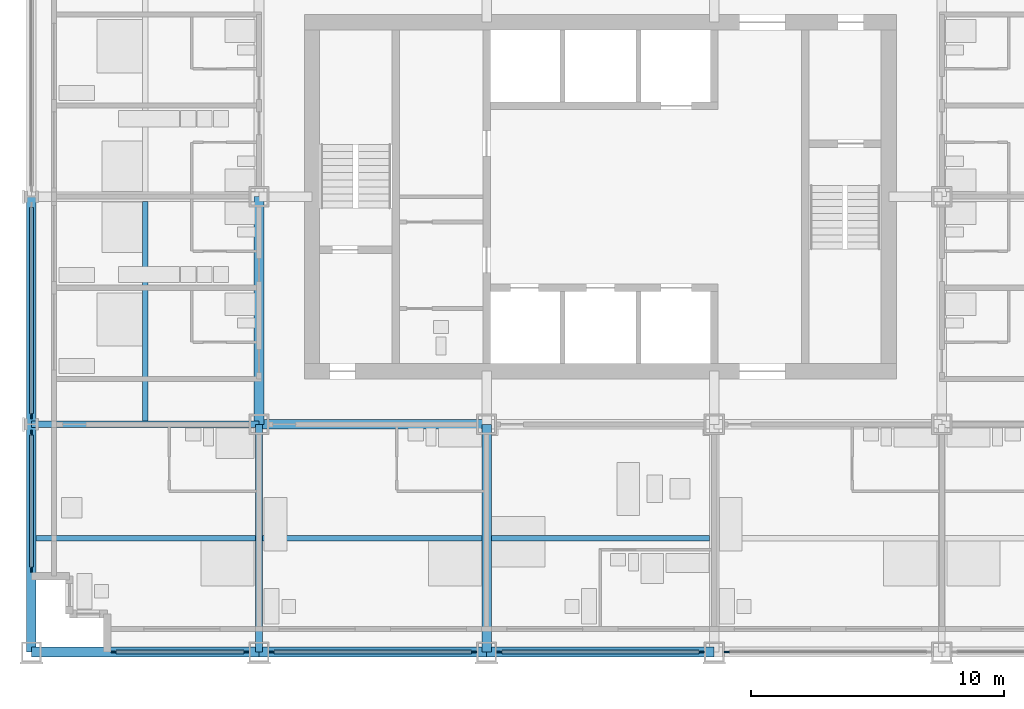
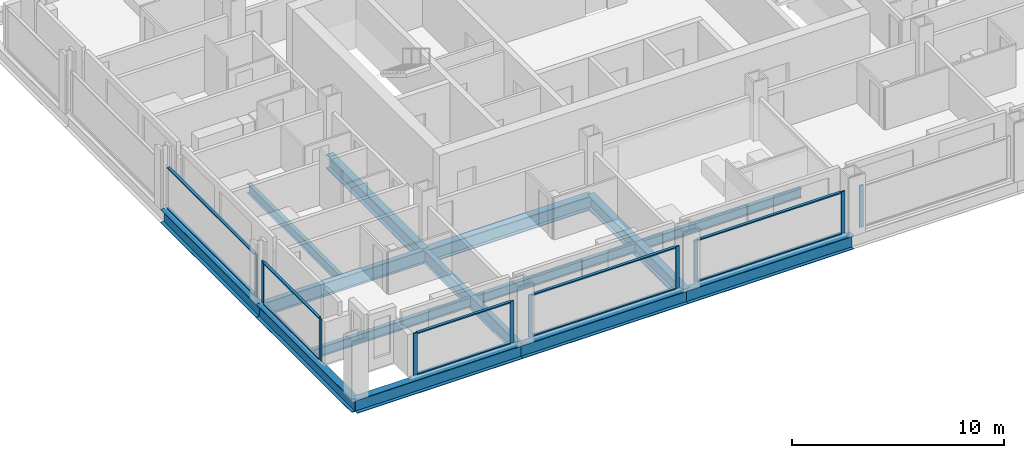
# One storey, part 2 of 16: 20 members, 14 beams, 6 elements without a shape of their own.
"""IFC4 building model written with IfcOpenShell, lengths in metres."""

from ifc_helpers import new_model, si_unit, direction, frame, origin, origin_2d, place, context, subcontext, project, spatial, rectangle, i_section, extrude, material, material_profile, profile_set, type_object, element, aggregate, save


model = new_model("IFC4")

# Units and contexts
model_context = context("Model", 3, precision=1e-05, world=origin(), true_north=direction((0.0, 1.0)))
body_context = subcontext(model_context, "Body", "Model", "MODEL_VIEW")
ifc_project = project(units=[si_unit("LENGTHUNIT", "METRE"), si_unit("AREAUNIT", "SQUARE_METRE"), si_unit("VOLUMEUNIT", "CUBIC_METRE"), si_unit("PLANEANGLEUNIT", "RADIAN"), si_unit("MASSUNIT", "GRAM", prefix="KILO")], contexts=[model_context])

# Site, building, storey
site_placement = place(None, origin())
site = spatial("IfcSite", under=ifc_project, at=site_placement, CompositionType="ELEMENT")
building_placement = place(site_placement, origin())
building = spatial("IfcBuilding", under=site, at=building_placement, Name="Loomwork Tower", CompositionType="ELEMENT")
storey_placement = place(building_placement, frame((0.0, 0.0, 111.199951171875)))
storey = spatial("IfcBuildingStorey", under=building, at=storey_placement, Name="L29", CompositionType="ELEMENT", Elevation=111.199951171875)

# Beams
ifc_material_1 = material(Name="Steel ASTM A992", Category="steel")
ifc_material_profile_1 = material_profile(ifc_material_1, i_section(OverallWidth=0.383544921875, OverallDepth=0.794921875, WebThickness=0.02099609375, FlangeThickness=0.0380859375, at=origin_2d()), Name="W30x235")
ifc_profile_set_1 = profile_set([ifc_material_profile_1], Name="Steel ASTM A992")
beam_type_1 = type_object("IfcBeamType", Name="CORE FLANK GIRDER W30x235", PredefinedType="BEAM", material=ifc_profile_set_1)
for number, where, z_axis, x_axis, name in (
    (1, (9.0, 9.0, -0.597412109375), (1.0, 0.0, 0.0), (0.0, 1.0, 0.0), "Core Flank Girder E/3-E/4 L29"),
    (2, (9.0, 9.0, -0.597412109375), (0.0, 1.0, 0.0), (-1.0, 0.0, 0.0), "Core Flank Girder E/3-F/3 L29"),
    (3, (18.0, 0.0, -0.597412109375), (0.0, 1.0, 0.0), (-1.0, 0.0, 0.0), "Core Flank Girder D/4-E/4 L29"),
):
    element("IfcBeam", number, at=place(storey_placement, frame(where, z_axis=z_axis, x_axis=x_axis)), inside=storey, type_object=beam_type_1, Name=name, PredefinedType="BEAM", context=body_context, shape_type="SweptSolid", body=[
        extrude(i_section(OverallWidth=0.383544921875, OverallDepth=0.794921875, WebThickness=0.02099609375, FlangeThickness=0.0380859375, at=origin_2d()), origin(), (0.0, 0.0, 1.0), 9.0),
    ])
ifc_material_2 = material(Name="Steel ASTM A992", Category="steel")
ifc_material_profile_2 = material_profile(ifc_material_2, i_section(OverallWidth=0.2666015625, OverallDepth=0.761962890625, WebThickness=0.014404296875, FlangeThickness=0.021484375, at=origin_2d()), Name="W30x116")
ifc_profile_set_2 = profile_set([ifc_material_profile_2], Name="Steel ASTM A992")
beam_type_2 = type_object("IfcBeamType", Name="FLOOR GIRDER W30x116", PredefinedType="BEAM", material=ifc_profile_set_2)
for number, where, z_axis, x_axis, name in (
    (4, (0.0, 9.0, -0.5810546875), (1.0, 0.0, 0.0), (0.0, 1.0, 0.0), "Floor Girder E/2-E/3 L29"),
    (5, (9.0, 0.0, -0.5810546875), (0.0, 1.0, 0.0), (-1.0, 0.0, 0.0), "Floor Girder D/3-E/3 L29"),
):
    element("IfcBeam", number, at=place(storey_placement, frame(where, z_axis=z_axis, x_axis=x_axis)), inside=storey, type_object=beam_type_2, Name=name, PredefinedType="BEAM", context=body_context, shape_type="SweptSolid", body=[
        extrude(i_section(OverallWidth=0.2666015625, OverallDepth=0.761962890625, WebThickness=0.014404296875, FlangeThickness=0.021484375, at=origin_2d()), origin(), (0.0, 0.0, 1.0), 9.0),
    ])
ifc_material_3 = material(Name="Steel ASTM A992", Category="steel")
ifc_material_profile_3 = material_profile(ifc_material_3, i_section(OverallWidth=0.2109375, OverallDepth=0.53857421875, WebThickness=0.011474609375, FlangeThickness=0.018798828125, at=origin_2d()), Name="W21x73")
ifc_profile_set_3 = profile_set([ifc_material_profile_3], Name="Steel ASTM A992")
beam_type_3 = type_object("IfcBeamType", Name="FLOOR JOIST W21x73", PredefinedType="JOIST", material=ifc_profile_set_3)
beam_1_placement = place(storey_placement, frame((0.18994140625, 4.5, -0.46923828125), z_axis=(1.0, 0.0, 0.0), x_axis=(0.0, 1.0, 0.0)))
element("IfcBeam", 6, at=beam_1_placement, inside=storey, type_object=beam_type_3, Name="Floor Joist 0.000,4.500-9.000,4.500 L29", PredefinedType="JOIST", context=body_context, shape_type="SweptSolid", body=[
    extrude(i_section(OverallWidth=0.2109375, OverallDepth=0.53857421875, WebThickness=0.011474609375, FlangeThickness=0.018798828125, at=origin_2d()), origin(), (0.0, 0.0, 1.0), 8.677001953125),
])
for number, where, z_axis, x_axis, name in (
    (7, (4.5, 9.133056640625, -0.46923828125), (0.0, 1.0, 0.0), (-1.0, 0.0, 0.0), "Floor Joist 4.500,9.000-4.500,18.000 L29"),
    (8, (9.133056640625, 4.5, -0.46923828125), (1.0, 0.0, 0.0), (0.0, 1.0, 0.0), "Floor Joist 9.000,4.500-18.000,4.500 L29"),
):
    element("IfcBeam", number, at=place(storey_placement, frame(where, z_axis=z_axis, x_axis=x_axis)), inside=storey, type_object=beam_type_3, Name=name, PredefinedType="JOIST", context=body_context, shape_type="SweptSolid", body=[
        extrude(i_section(OverallWidth=0.2109375, OverallDepth=0.53857421875, WebThickness=0.011474609375, FlangeThickness=0.018798828125, at=origin_2d()), origin(), (0.0, 0.0, 1.0), 8.676025390625),
    ])
beam_2_placement = place(storey_placement, frame((18.19091796875, 4.5, -0.46923828125), z_axis=(1.0, 0.0, 0.0), x_axis=(0.0, 1.0, 0.0)))
element("IfcBeam", 9, at=beam_2_placement, inside=storey, type_object=beam_type_3, Name="Floor Joist 18.000,4.500-27.000,4.500 L29", PredefinedType="JOIST", context=body_context, shape_type="SweptSolid", body=[
    extrude(i_section(OverallWidth=0.2109375, OverallDepth=0.53857421875, WebThickness=0.011474609375, FlangeThickness=0.018798828125, at=origin_2d()), origin(), (0.0, 0.0, 1.0), 8.6181640625),
])

# Curtain wall, members
ifc_material_4 = material(Name="Aluminium curtain wall frame", Category="aluminium")
curtain_wall_type = type_object("IfcCurtainWallType", Name="Outer skin glazing hotel", PredefinedType="NOTDEFINED", material=ifc_material_4)
curtain_wall_1_placement = place(storey_placement, origin())
curtain_wall_1 = element("IfcCurtainWall", 10, at=curtain_wall_1_placement, inside=storey, type_object=curtain_wall_type, Name="Outer skin glazing hotel cw/S-0", PredefinedType="NOTDEFINED")
ifc_material_5 = material(Name="Aluminium curtain wall frame", Category="aluminium")
ifc_material_profile_4 = material_profile(ifc_material_5, rectangle(XDim=0.06494140625, YDim=0.199951171875, at=origin_2d()), Name="AL 65x200")
ifc_profile_set_4 = profile_set([ifc_material_profile_4], Name="Aluminium curtain wall frame")
member_type_1 = type_object("IfcMemberType", Name="Outer skin glazing hotel mullion", PredefinedType="MULLION", material=ifc_profile_set_4)
member_1_placement = place(storey_placement, frame((3.25, 0.0, 0.0), z_axis=(0.0, 0.0, 1.0), x_axis=(0.0, 1.0, 0.0)))
member_1 = element("IfcMember", 11, at=member_1_placement, type_object=member_type_1, Name="CW1 mullion 1", PredefinedType="MULLION", context=body_context, shape_type="SweptSolid", body=[
    extrude(rectangle(XDim=0.06494140625, YDim=0.199951171875, at=origin_2d()), origin(), (0.0, 0.0, 1.0), 2.420166015625),
])
member_2_placement = place(storey_placement, frame((8.5, 0.0, 0.0), z_axis=(0.0, 0.0, 1.0), x_axis=(0.0, 1.0, 0.0)))
member_2 = element("IfcMember", 12, at=member_2_placement, type_object=member_type_1, Name="CW1 mullion 2", PredefinedType="MULLION", context=body_context, shape_type="SweptSolid", body=[
    extrude(rectangle(XDim=0.06494140625, YDim=0.199951171875, at=origin_2d()), origin(), (0.0, 0.0, 1.0), 2.420166015625),
])

curtain_wall_2_placement = place(storey_placement, origin())
curtain_wall_2 = element("IfcCurtainWall", 13, at=curtain_wall_2_placement, inside=storey, type_object=curtain_wall_type, Name="Outer skin glazing hotel cw/S-9", PredefinedType="NOTDEFINED")
member_3_placement = place(storey_placement, frame((9.5, 0.0, 0.0), z_axis=(0.0, 0.0, 1.0), x_axis=(0.0, 1.0, 0.0)))
member_3 = element("IfcMember", 14, at=member_3_placement, type_object=member_type_1, Name="CW1 mullion 1", PredefinedType="MULLION", context=body_context, shape_type="SweptSolid", body=[
    extrude(rectangle(XDim=0.06494140625, YDim=0.199951171875, at=origin_2d()), origin(), (0.0, 0.0, 1.0), 2.420166015625),
])
member_4_placement = place(storey_placement, frame((17.5, 0.0, 0.0), z_axis=(0.0, 0.0, 1.0), x_axis=(0.0, 1.0, 0.0)))
member_4 = element("IfcMember", 15, at=member_4_placement, type_object=member_type_1, Name="CW1 mullion 2", PredefinedType="MULLION", context=body_context, shape_type="SweptSolid", body=[
    extrude(rectangle(XDim=0.06494140625, YDim=0.199951171875, at=origin_2d()), origin(), (0.0, 0.0, 1.0), 2.420166015625),
])

curtain_wall_3_placement = place(storey_placement, origin())
curtain_wall_3 = element("IfcCurtainWall", 16, at=curtain_wall_3_placement, inside=storey, type_object=curtain_wall_type, Name="Outer skin glazing hotel cw/S-18", PredefinedType="NOTDEFINED")
member_5_placement = place(storey_placement, frame((18.5, 0.0, 0.0), z_axis=(0.0, 0.0, 1.0), x_axis=(0.0, 1.0, 0.0)))
member_5 = element("IfcMember", 17, at=member_5_placement, type_object=member_type_1, Name="CW1 mullion 1", PredefinedType="MULLION", context=body_context, shape_type="SweptSolid", body=[
    extrude(rectangle(XDim=0.06494140625, YDim=0.199951171875, at=origin_2d()), origin(), (0.0, 0.0, 1.0), 2.420166015625),
])
member_6_placement = place(storey_placement, frame((26.5, 0.0, 0.0), z_axis=(0.0, 0.0, 1.0), x_axis=(0.0, 1.0, 0.0)))
member_6 = element("IfcMember", 18, at=member_6_placement, type_object=member_type_1, Name="CW1 mullion 2", PredefinedType="MULLION", context=body_context, shape_type="SweptSolid", body=[
    extrude(rectangle(XDim=0.06494140625, YDim=0.199951171875, at=origin_2d()), origin(), (0.0, 0.0, 1.0), 2.420166015625),
])

# Curtain wall, member
curtain_wall_4_placement = place(storey_placement, origin())
curtain_wall_4 = element("IfcCurtainWall", 19, at=curtain_wall_4_placement, inside=storey, type_object=curtain_wall_type, Name="Outer skin glazing hotel cw/S-27", PredefinedType="NOTDEFINED")
member_7_placement = place(storey_placement, frame((27.5, 0.0, 0.0), z_axis=(0.0, 0.0, 1.0), x_axis=(0.0, 1.0, 0.0)))
member_7 = element("IfcMember", 20, at=member_7_placement, type_object=member_type_1, Name="CW1 mullion 1", PredefinedType="MULLION", context=body_context, shape_type="SweptSolid", body=[
    extrude(rectangle(XDim=0.06494140625, YDim=0.199951171875, at=origin_2d()), origin(), (0.0, 0.0, 1.0), 2.420166015625),
])
aggregate(curtain_wall_4, [member_7])

# Curtain wall, members
curtain_wall_5_placement = place(storey_placement, origin())
curtain_wall_5 = element("IfcCurtainWall", 21, at=curtain_wall_5_placement, inside=storey, type_object=curtain_wall_type, Name="Outer skin glazing hotel cw/W-0", PredefinedType="NOTDEFINED")
member_8_placement = place(storey_placement, frame((0.0, 8.67529296875, 0.0), z_axis=(0.0, 0.0, 1.0), x_axis=(1.0, 0.0, 0.0)))
member_8 = element("IfcMember", 22, at=member_8_placement, type_object=member_type_1, Name="CW1 mullion 1", PredefinedType="MULLION", context=body_context, shape_type="SweptSolid", body=[
    extrude(rectangle(XDim=0.06494140625, YDim=0.199951171875, at=origin_2d()), origin(), (0.0, 0.0, 1.0), 2.420166015625),
])
member_9_placement = place(storey_placement, frame((0.0, 3.25, 0.0), z_axis=(0.0, 0.0, 1.0), x_axis=(1.0, 0.0, 0.0)))
member_9 = element("IfcMember", 23, at=member_9_placement, type_object=member_type_1, Name="CW1 mullion 2", PredefinedType="MULLION", context=body_context, shape_type="SweptSolid", body=[
    extrude(rectangle(XDim=0.06494140625, YDim=0.199951171875, at=origin_2d()), origin(), (0.0, 0.0, 1.0), 2.420166015625),
])

# Curtain wall, member
curtain_wall_6_placement = place(storey_placement, origin())
curtain_wall_6 = element("IfcCurtainWall", 24, at=curtain_wall_6_placement, inside=storey, type_object=curtain_wall_type, Name="Outer skin glazing hotel cw/W-9", PredefinedType="NOTDEFINED")
member_10_placement = place(storey_placement, frame((0.0, 9.32470703125, 0.0), z_axis=(0.0, 0.0, 1.0), x_axis=(1.0, 0.0, 0.0)))
member_10 = element("IfcMember", 25, at=member_10_placement, type_object=member_type_1, Name="CW1 mullion 2", PredefinedType="MULLION", context=body_context, shape_type="SweptSolid", body=[
    extrude(rectangle(XDim=0.06494140625, YDim=0.199951171875, at=origin_2d()), origin(), (0.0, 0.0, 1.0), 2.420166015625),
])

# Member
ifc_material_6 = material(Name="Aluminium curtain wall frame", Category="aluminium")
ifc_material_profile_5 = material_profile(ifc_material_6, rectangle(XDim=0.14990234375, YDim=0.06494140625, at=origin_2d()), Name="AL 65x150")
ifc_profile_set_5 = profile_set([ifc_material_profile_5], Name="Aluminium curtain wall frame")
member_type_2 = type_object("IfcMemberType", Name="Outer skin glazing hotel transom", PredefinedType="USERDEFINED", material=ifc_profile_set_5)
member_11_placement = place(storey_placement, frame((3.35009765625, 0.0, 0.032470703125), z_axis=(1.0, 0.0, 0.0), x_axis=(0.0, 1.0, 0.0)))
member_11 = element("IfcMember", 26, at=member_11_placement, type_object=member_type_2, Name="CW1 transom 1.1", ObjectType="TRANSOM", PredefinedType="USERDEFINED", context=body_context, shape_type="SweptSolid", body=[
    extrude(rectangle(XDim=0.14990234375, YDim=0.06494140625, at=origin_2d()), origin(), (0.0, 0.0, 1.0), 5.0498046875),
])

member_12_placement = place(storey_placement, frame((3.35009765625, 0.0, 2.3876953125), z_axis=(1.0, 0.0, 0.0), x_axis=(0.0, 1.0, 0.0)))
member_12 = element("IfcMember", 27, at=member_12_placement, type_object=member_type_2, Name="CW1 transom 1.2", ObjectType="TRANSOM", PredefinedType="USERDEFINED", context=body_context, shape_type="SweptSolid", body=[
    extrude(rectangle(XDim=0.14990234375, YDim=0.06494140625, at=origin_2d()), origin(), (0.0, 0.0, 1.0), 5.0498046875),
])

aggregate(curtain_wall_1, [member_1, member_2, member_11, member_12])

member_13_placement = place(storey_placement, frame((9.60009765625, 0.0, 0.032470703125), z_axis=(1.0, 0.0, 0.0), x_axis=(0.0, 1.0, 0.0)))
member_13 = element("IfcMember", 28, at=member_13_placement, type_object=member_type_2, Name="CW1 transom 1.1", ObjectType="TRANSOM", PredefinedType="USERDEFINED", context=body_context, shape_type="SweptSolid", body=[
    extrude(rectangle(XDim=0.14990234375, YDim=0.06494140625, at=origin_2d()), origin(), (0.0, 0.0, 1.0), 7.7998046875),
])

member_14_placement = place(storey_placement, frame((9.60009765625, 0.0, 2.3876953125), z_axis=(1.0, 0.0, 0.0), x_axis=(0.0, 1.0, 0.0)))
member_14 = element("IfcMember", 29, at=member_14_placement, type_object=member_type_2, Name="CW1 transom 1.2", ObjectType="TRANSOM", PredefinedType="USERDEFINED", context=body_context, shape_type="SweptSolid", body=[
    extrude(rectangle(XDim=0.14990234375, YDim=0.06494140625, at=origin_2d()), origin(), (0.0, 0.0, 1.0), 7.7998046875),
])

aggregate(curtain_wall_2, [member_3, member_4, member_13, member_14])

member_15_placement = place(storey_placement, frame((18.60009765625, 0.0, 0.032470703125), z_axis=(1.0, 0.0, 0.0), x_axis=(0.0, 1.0, 0.0)))
member_15 = element("IfcMember", 30, at=member_15_placement, type_object=member_type_2, Name="CW1 transom 1.1", ObjectType="TRANSOM", PredefinedType="USERDEFINED", context=body_context, shape_type="SweptSolid", body=[
    extrude(rectangle(XDim=0.14990234375, YDim=0.06494140625, at=origin_2d()), origin(), (0.0, 0.0, 1.0), 7.7998046875),
])

member_16_placement = place(storey_placement, frame((18.60009765625, 0.0, 2.3876953125), z_axis=(1.0, 0.0, 0.0), x_axis=(0.0, 1.0, 0.0)))
member_16 = element("IfcMember", 31, at=member_16_placement, type_object=member_type_2, Name="CW1 transom 1.2", ObjectType="TRANSOM", PredefinedType="USERDEFINED", context=body_context, shape_type="SweptSolid", body=[
    extrude(rectangle(XDim=0.14990234375, YDim=0.06494140625, at=origin_2d()), origin(), (0.0, 0.0, 1.0), 7.7998046875),
])

aggregate(curtain_wall_3, [member_5, member_6, member_15, member_16])

member_17_placement = place(storey_placement, frame((0.0, 8.5751953125, 0.032470703125), z_axis=(0.0, -1.0, 0.0), x_axis=(1.0, 0.0, 0.0)))
member_17 = element("IfcMember", 32, at=member_17_placement, type_object=member_type_2, Name="CW1 transom 1.1", ObjectType="TRANSOM", PredefinedType="USERDEFINED", context=body_context, shape_type="SweptSolid", body=[
    extrude(rectangle(XDim=0.14990234375, YDim=0.06494140625, at=origin_2d()), origin(), (0.0, 0.0, 1.0), 5.22509765625),
])

member_18_placement = place(storey_placement, frame((0.0, 8.5751953125, 2.3876953125), z_axis=(0.0, -1.0, 0.0), x_axis=(1.0, 0.0, 0.0)))
member_18 = element("IfcMember", 33, at=member_18_placement, type_object=member_type_2, Name="CW1 transom 1.2", ObjectType="TRANSOM", PredefinedType="USERDEFINED", context=body_context, shape_type="SweptSolid", body=[
    extrude(rectangle(XDim=0.14990234375, YDim=0.06494140625, at=origin_2d()), origin(), (0.0, 0.0, 1.0), 5.22509765625),
])

aggregate(curtain_wall_5, [member_8, member_9, member_17, member_18])

member_19_placement = place(storey_placement, frame((0.0, 17.5751953125, 0.032470703125), z_axis=(0.0, -1.0, 0.0), x_axis=(1.0, 0.0, 0.0)))
member_19 = element("IfcMember", 34, at=member_19_placement, type_object=member_type_2, Name="CW1 transom 1.1", ObjectType="TRANSOM", PredefinedType="USERDEFINED", context=body_context, shape_type="SweptSolid", body=[
    extrude(rectangle(XDim=0.14990234375, YDim=0.06494140625, at=origin_2d()), origin(), (0.0, 0.0, 1.0), 8.150390625),
])

member_20_placement = place(storey_placement, frame((0.0, 17.5751953125, 2.3876953125), z_axis=(0.0, -1.0, 0.0), x_axis=(1.0, 0.0, 0.0)))
member_20 = element("IfcMember", 35, at=member_20_placement, type_object=member_type_2, Name="CW1 transom 1.2", ObjectType="TRANSOM", PredefinedType="USERDEFINED", context=body_context, shape_type="SweptSolid", body=[
    extrude(rectangle(XDim=0.14990234375, YDim=0.06494140625, at=origin_2d()), origin(), (0.0, 0.0, 1.0), 8.150390625),
])

aggregate(curtain_wall_6, [member_10, member_19, member_20])

# Beams
ifc_material_7 = material(Name="Steel ASTM A992", Category="steel")
ifc_material_profile_6 = material_profile(ifc_material_7, i_section(OverallWidth=0.381103515625, OverallDepth=0.77978515625, WebThickness=0.01806640625, FlangeThickness=0.0302734375, at=origin_2d()), Name="W30x191")
ifc_profile_set_6 = profile_set([ifc_material_profile_6], Name="Steel ASTM A992")
beam_type_4 = type_object("IfcBeamType", Name="SPANDREL GIRDER W30x191", PredefinedType="SPANDREL", material=ifc_profile_set_6)
for number, where, z_axis, x_axis, name in (
    (36, (0.0, 0.0, -0.58984375), (1.0, 0.0, 0.0), (0.0, 1.0, 0.0), "Spandrel Girder D/2-D/3 L29"),
    (37, (9.0, 0.0, -0.58984375), (1.0, 0.0, 0.0), (0.0, 1.0, 0.0), "Spandrel Girder D/3-D/4 L29"),
    (38, (18.0, 0.0, -0.58984375), (1.0, 0.0, 0.0), (0.0, 1.0, 0.0), "Spandrel Girder D/4-D/5 L29"),
    (39, (0.0, 0.0, -0.58984375), (0.0, 1.0, 0.0), (-1.0, 0.0, 0.0), "Spandrel Girder D/2-E/2 L29"),
    (40, (0.0, 9.0, -0.58984375), (0.0, 1.0, 0.0), (-1.0, 0.0, 0.0), "Spandrel Girder E/2-F/2 L29"),
):
    element("IfcBeam", number, at=place(storey_placement, frame(where, z_axis=z_axis, x_axis=x_axis)), inside=storey, type_object=beam_type_4, Name=name, PredefinedType="SPANDREL", context=body_context, shape_type="SweptSolid", body=[
        extrude(i_section(OverallWidth=0.381103515625, OverallDepth=0.77978515625, WebThickness=0.01806640625, FlangeThickness=0.0302734375, at=origin_2d()), origin(), (0.0, 0.0, 1.0), 9.0),
    ])

save(model, "model.ifc")
